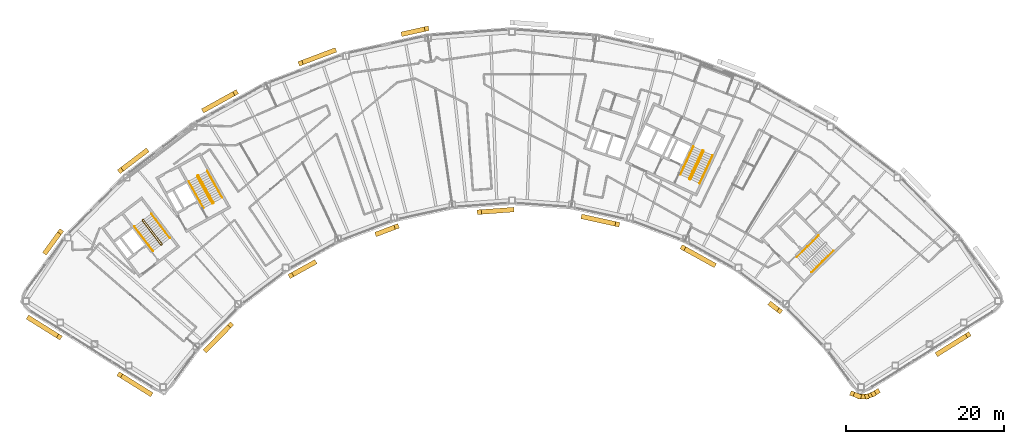
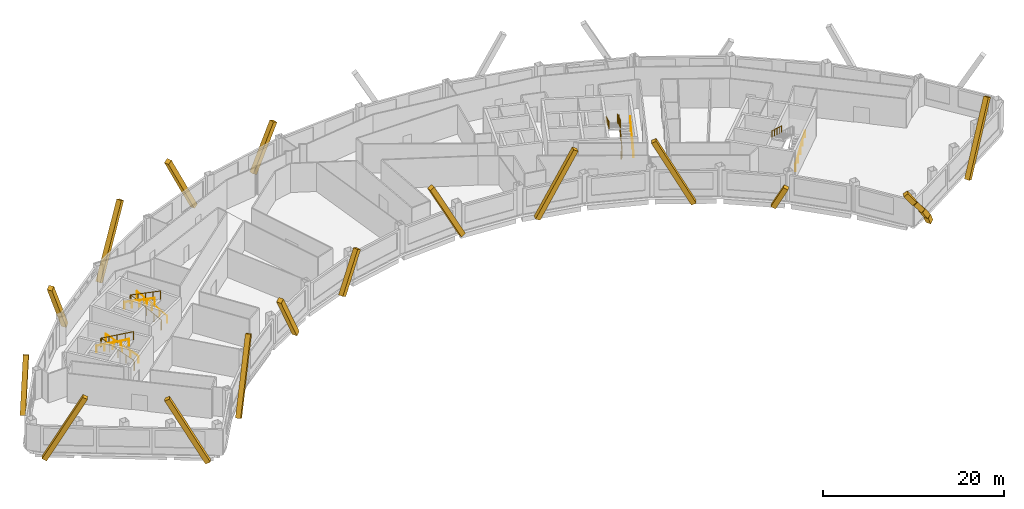
# One storey, part 13 of 14: 19 coverings, 11 railings.
"""IFC4 building model written with IfcOpenShell, lengths in metres."""

from ifc_helpers import new_model, si_unit, direction, frame, origin, origin_2d, place, context, subcontext, project, spatial, rectangle, circle, extrude, material, material_profile, profile_set, type_object, element, save


model = new_model("IFC4")

# Units and contexts
model_context = context("Model", 3, precision=1e-05, world=origin(), true_north=direction((0.0, 1.0)))
body_context = subcontext(model_context, "Body", "Model", "MODEL_VIEW")
ifc_project = project(units=[si_unit("LENGTHUNIT", "METRE"), si_unit("AREAUNIT", "SQUARE_METRE"), si_unit("VOLUMEUNIT", "CUBIC_METRE"), si_unit("PLANEANGLEUNIT", "RADIAN"), si_unit("MASSUNIT", "GRAM", prefix="KILO")], contexts=[model_context])

# Site, building, storey
site_placement = place(None, origin())
site = spatial("IfcSite", under=ifc_project, at=site_placement, CompositionType="ELEMENT")
building_placement = place(site_placement, origin())
building = spatial("IfcBuilding", under=site, at=building_placement, Name="Tuul Gate Civic Tower", CompositionType="ELEMENT")
storey_placement = place(building_placement, frame((0.0, 0.0, 265.199951171875)))
storey = spatial("IfcBuildingStorey", under=building, at=storey_placement, Name="Level 60", CompositionType="ELEMENT", Elevation=265.199951171875)

# Railings
ifc_material_1 = material(Name="Painted steel", Category="steel")
railing_type_1 = type_object("IfcRailingType", Name="Stair guard", PredefinedType="GUARDRAIL", material=ifc_material_1)
railing_1_placement = place(storey_placement, frame((-33.382080078125, -13.515380859375, 0.0)))
element("IfcRailing", 1, at=railing_1_placement, inside=storey, type_object=railing_type_1, Name="Level 60 ST-1 stair guard 1", PredefinedType="GUARDRAIL", context=body_context, shape_type="SweptSolid", body=[
    extrude(circle(Radius=0.02392578125, at=origin_2d()), frame((0.0, 0.0, 1.076171875), z_axis=(-0.795879841968, -0.605454603706, 0.0), x_axis=(0.605454603706, -0.795879841968, 0.0)), (0.0, 0.0, 1.0), 0.10009765625),
    extrude(circle(Radius=0.02392578125, at=origin_2d()), frame((-0.07958984375, -0.060546875, 1.076171875), z_axis=(0.408676696321, 0.599019267211, 0.688592241747), x_axis=(-0.826063974707, 0.563576356576, 0.0)), (0.0, 0.0, 1.0), 0.218017578125),
    extrude(circle(Radius=0.02392578125, at=origin_2d()), frame((0.009521484375, 0.070068359375, 1.22607421875), z_axis=(-0.541824460341, 0.711645023348, 0.447199748346), x_axis=(-0.795637165283, -0.60577347352, 0.0)), (0.0, 0.0, 1.0), 4.3603515625),
    extrude(circle(Radius=0.02392578125, at=origin_2d()), frame((-2.35302734375, 3.173095703125, 3.17626953125), z_axis=(-0.990893089246, 0.134650977284, 0.0), x_axis=(-0.134650977284, -0.990893089246, 0.0)), (0.0, 0.0, 1.0), 0.07080078125),
    extrude(circle(Radius=0.02392578125, at=origin_2d()), frame((-2.423095703125, 3.1826171875, 3.17626953125), z_axis=(-0.793802879778, -0.60817512943, 0.0), x_axis=(0.60817512943, -0.793802879778, 0.0)), (0.0, 0.0, 1.0), 0.099853515625),
    extrude(circle(Radius=0.02392578125, at=origin_2d()), frame((-2.50244140625, 3.121826171875, 3.17626953125), z_axis=(-0.057447065493, -0.422751481959, 0.904423031091), x_axis=(0.990893089246, -0.134650977284, 0.0)), (0.0, 0.0, 1.0), 0.165771484375),
    extrude(circle(Radius=0.02392578125, at=origin_2d()), frame((-2.511962890625, 3.0517578125, 3.326171875), z_axis=(0.541806494602, -0.71163897684, 0.447231136047), x_axis=(0.795644365679, 0.605764016233, 0.0)), (0.0, 0.0, 1.0), 4.360107421875),
    extrude(circle(Radius=0.02099609375, at=origin_2d()), origin(), (0.0, 0.0, 1.0), 1.052001953125),
    extrude(circle(Radius=0.02099609375, at=origin_2d()), frame((-0.07958984375, -0.060546875, 0.0)), (0.0, 0.0, 1.0), 1.052001953125),
    extrude(circle(Radius=0.02099609375, at=origin_2d()), frame((0.009521484375, 0.070068359375, 0.150146484375)), (0.0, 0.0, 1.0), 1.052001953125),
    extrude(circle(Radius=0.02099609375, at=origin_2d()), frame((-0.5810546875, 0.845703125, 0.6376953125)), (0.0, 0.0, 1.0), 1.052001953125),
    extrude(circle(Radius=0.02099609375, at=origin_2d()), frame((-1.171875, 1.62158203125, 1.125)), (0.0, 0.0, 1.0), 1.052001953125),
    extrude(circle(Radius=0.02099609375, at=origin_2d()), frame((-1.762451171875, 2.3974609375, 1.612548828125)), (0.0, 0.0, 1.0), 1.052001953125),
    extrude(circle(Radius=0.02099609375, at=origin_2d()), frame((-2.35302734375, 3.173095703125, 2.10009765625)), (0.0, 0.0, 1.0), 1.052001953125),
    extrude(circle(Radius=0.02099609375, at=origin_2d()), frame((-2.423095703125, 3.1826171875, 2.10009765625)), (0.0, 0.0, 1.0), 1.052001953125),
    extrude(circle(Radius=0.02099609375, at=origin_2d()), frame((-2.50244140625, 3.121826171875, 2.10009765625)), (0.0, 0.0, 1.0), 1.052001953125),
    extrude(circle(Radius=0.02099609375, at=origin_2d()), frame((-2.511962890625, 3.0517578125, 2.25)), (0.0, 0.0, 1.0), 1.052001953125),
    extrude(circle(Radius=0.02099609375, at=origin_2d()), frame((-1.92138671875, 2.276123046875, 2.737548828125)), (0.0, 0.0, 1.0), 1.052001953125),
    extrude(circle(Radius=0.02099609375, at=origin_2d()), frame((-1.330810546875, 1.50048828125, 3.22509765625)), (0.0, 0.0, 1.0), 1.052001953125),
    extrude(circle(Radius=0.02099609375, at=origin_2d()), frame((-0.740234375, 0.724609375, 3.71240234375)), (0.0, 0.0, 1.0), 1.052001953125),
    extrude(circle(Radius=0.02099609375, at=origin_2d()), frame((-0.149658203125, -0.051025390625, 4.199951171875)), (0.0, 0.0, 1.0), 1.052001953125),
])
railing_2_placement = place(storey_placement, frame((-26.857666015625, -8.247314453125, 0.0)))
element("IfcRailing", 2, at=railing_2_placement, inside=storey, type_object=railing_type_1, Name="Level 60 ST-2 stair guard 1", PredefinedType="GUARDRAIL", context=body_context, shape_type="SweptSolid", body=[
    extrude(circle(Radius=0.02392578125, at=origin_2d()), frame((0.0, 0.0, 1.076171875), z_axis=(-0.874616555828, -0.48481530532, 0.0), x_axis=(0.48481530532, -0.874616555828, 0.0)), (0.0, 0.0, 1.0), 0.10009765625),
    extrude(circle(Radius=0.02392578125, at=origin_2d()), frame((-0.087646484375, -0.048583984375, 1.076171875), z_axis=(0.490435707169, 0.534104639999, 0.688625479244), x_axis=(-0.736576986774, 0.676353711126, 0.0)), (0.0, 0.0, 1.0), 0.218017578125),
    extrude(circle(Radius=0.02392578125, at=origin_2d()), frame((0.019287109375, 0.06787109375, 1.22607421875), z_axis=(-0.43354991378, 0.782327185242, 0.447212083348), x_axis=(-0.874667644053, -0.484723129681, 0.0)), (0.0, 0.0, 1.0), 4.3603515625),
    extrude(circle(Radius=0.02392578125, at=origin_2d()), frame((-1.87109375, 3.47900390625, 3.17626953125), z_axis=(-0.961263487578, 0.275631107549, 0.0), x_axis=(-0.275631107549, -0.961263487578, 0.0)), (0.0, 0.0, 1.0), 0.07080078125),
    extrude(circle(Radius=0.02392578125, at=origin_2d()), frame((-1.939208984375, 3.49853515625, 3.17626953125), z_axis=(-0.874042088414, -0.485850211157, 0.0), x_axis=(0.485850211157, -0.874042088414, 0.0)), (0.0, 0.0, 1.0), 0.10009765625),
    extrude(circle(Radius=0.02392578125, at=origin_2d()), frame((-2.026611328125, 3.449951171875, 3.17626953125), z_axis=(-0.117866478395, -0.409586012422, 0.90462522168), x_axis=(0.961000426733, -0.276546885391, 0.0)), (0.0, 0.0, 1.0), 0.165771484375),
    extrude(circle(Radius=0.02392578125, at=origin_2d()), frame((-2.046142578125, 3.382080078125, 3.326171875), z_axis=(0.433595379963, -0.782308193291, 0.447201226726), x_axis=(0.874641102302, 0.484771020343, 0.0)), (0.0, 0.0, 1.0), 4.3603515625),
    extrude(circle(Radius=0.02099609375, at=origin_2d()), origin(), (0.0, 0.0, 1.0), 1.052001953125),
    extrude(circle(Radius=0.02099609375, at=origin_2d()), frame((-0.087646484375, -0.048583984375, 0.0)), (0.0, 0.0, 1.0), 1.052001953125),
    extrude(circle(Radius=0.02099609375, at=origin_2d()), frame((0.019287109375, 0.06787109375, 0.150146484375)), (0.0, 0.0, 1.0), 1.052001953125),
    extrude(circle(Radius=0.02099609375, at=origin_2d()), frame((-0.453369140625, 0.920654296875, 0.6376953125)), (0.0, 0.0, 1.0), 1.052001953125),
    extrude(circle(Radius=0.02099609375, at=origin_2d()), frame((-0.92578125, 1.7734375, 1.125)), (0.0, 0.0, 1.0), 1.052001953125),
    extrude(circle(Radius=0.02099609375, at=origin_2d()), frame((-1.3984375, 2.626220703125, 1.612548828125)), (0.0, 0.0, 1.0), 1.052001953125),
    extrude(circle(Radius=0.02099609375, at=origin_2d()), frame((-1.87109375, 3.47900390625, 2.10009765625)), (0.0, 0.0, 1.0), 1.052001953125),
    extrude(circle(Radius=0.02099609375, at=origin_2d()), frame((-1.939208984375, 3.49853515625, 2.10009765625)), (0.0, 0.0, 1.0), 1.052001953125),
    extrude(circle(Radius=0.02099609375, at=origin_2d()), frame((-2.026611328125, 3.449951171875, 2.10009765625)), (0.0, 0.0, 1.0), 1.052001953125),
    extrude(circle(Radius=0.02099609375, at=origin_2d()), frame((-2.046142578125, 3.382080078125, 2.25)), (0.0, 0.0, 1.0), 1.052001953125),
    extrude(circle(Radius=0.02099609375, at=origin_2d()), frame((-1.573486328125, 2.529296875, 2.737548828125)), (0.0, 0.0, 1.0), 1.052001953125),
    extrude(circle(Radius=0.02099609375, at=origin_2d()), frame((-1.100830078125, 1.676513671875, 3.22509765625)), (0.0, 0.0, 1.0), 1.052001953125),
    extrude(circle(Radius=0.02099609375, at=origin_2d()), frame((-0.628173828125, 0.82373046875, 3.71240234375)), (0.0, 0.0, 1.0), 1.052001953125),
    extrude(circle(Radius=0.02099609375, at=origin_2d()), frame((-0.155517578125, -0.029052734375, 4.199951171875)), (0.0, 0.0, 1.0), 1.052001953125),
])
railing_3_placement = place(storey_placement, frame((33.645751953125, -5.238525390625, 0.0)))
element("IfcRailing", 3, at=railing_3_placement, inside=storey, type_object=railing_type_1, Name="Level 60 ST-4 stair guard 1", PredefinedType="GUARDRAIL", context=body_context, shape_type="SweptSolid", body=[
    extrude(circle(Radius=0.02392578125, at=origin_2d()), frame((0.0, 0.0, 1.076171875), z_axis=(-0.906307919131, 0.422617978463, 0.0), x_axis=(-0.422617978463, -0.906307919131, 0.0)), (0.0, 0.0, 1.0), 0.099853515625),
    extrude(circle(Radius=0.02392578125, at=origin_2d()), frame((-0.090576171875, 0.042236328125, 1.076171875), z_axis=(0.720179819621, -0.082882280952, 0.688818956559), x_axis=(0.114330889033, 0.993442724979, 0.0)), (0.0, 0.0, 1.0), 0.218017578125),
    extrude(circle(Radius=0.02392578125, at=origin_2d()), frame((0.06640625, 0.024169921875, 1.22607421875), z_axis=(0.377946903738, 0.810654114417, 0.447209173356), x_axis=(-0.906336612539, 0.422556439746, 0.0)), (0.0, 0.0, 1.0), 4.3603515625),
    extrude(circle(Radius=0.02392578125, at=origin_2d()), frame((1.71435546875, 3.558837890625, 3.17626953125), z_axis=(-0.342020437038, 0.939692513883, 0.0), x_axis=(-0.939692513883, -0.342020437038, 0.0)), (0.0, 0.0, 1.0), 0.070556640625),
    extrude(circle(Radius=0.02392578125, at=origin_2d()), frame((1.690185546875, 3.625244140625, 3.17626953125), z_axis=(-0.906307919131, 0.422617978463, 0.0), x_axis=(-0.422617978463, -0.906307919131, 0.0)), (0.0, 0.0, 1.0), 0.099853515625),
    extrude(circle(Radius=0.02392578125, at=origin_2d()), frame((1.599609375, 3.66748046875, 3.17626953125), z_axis=(-0.40070210376, -0.145843780413, 0.904526072458), x_axis=(0.342020437038, -0.939692513883, 0.0)), (0.0, 0.0, 1.0), 0.165771484375),
    extrude(circle(Radius=0.02392578125, at=origin_2d()), frame((1.533203125, 3.643310546875, 3.326171875), z_axis=(-0.377946903738, -0.810654114417, 0.447209173356), x_axis=(0.906336612539, -0.422556439746, 0.0)), (0.0, 0.0, 1.0), 4.3603515625),
    extrude(circle(Radius=0.02099609375, at=origin_2d()), origin(), (0.0, 0.0, 1.0), 1.052001953125),
    extrude(circle(Radius=0.02099609375, at=origin_2d()), frame((-0.090576171875, 0.042236328125, 0.0)), (0.0, 0.0, 1.0), 1.052001953125),
    extrude(circle(Radius=0.02099609375, at=origin_2d()), frame((0.06640625, 0.024169921875, 0.150146484375)), (0.0, 0.0, 1.0), 1.052001953125),
    extrude(circle(Radius=0.02099609375, at=origin_2d()), frame((0.478515625, 0.90771484375, 0.6376953125)), (0.0, 0.0, 1.0), 1.052001953125),
    extrude(circle(Radius=0.02099609375, at=origin_2d()), frame((0.890380859375, 1.79150390625, 1.125)), (0.0, 0.0, 1.0), 1.052001953125),
    extrude(circle(Radius=0.02099609375, at=origin_2d()), frame((1.30224609375, 2.67529296875, 1.612548828125)), (0.0, 0.0, 1.0), 1.052001953125),
    extrude(circle(Radius=0.02099609375, at=origin_2d()), frame((1.71435546875, 3.558837890625, 2.10009765625)), (0.0, 0.0, 1.0), 1.052001953125),
    extrude(circle(Radius=0.02099609375, at=origin_2d()), frame((1.690185546875, 3.625244140625, 2.10009765625)), (0.0, 0.0, 1.0), 1.052001953125),
    extrude(circle(Radius=0.02099609375, at=origin_2d()), frame((1.599609375, 3.66748046875, 2.10009765625)), (0.0, 0.0, 1.0), 1.052001953125),
    extrude(circle(Radius=0.02099609375, at=origin_2d()), frame((1.533203125, 3.643310546875, 2.25)), (0.0, 0.0, 1.0), 1.052001953125),
    extrude(circle(Radius=0.02099609375, at=origin_2d()), frame((1.12109375, 2.759765625, 2.737548828125)), (0.0, 0.0, 1.0), 1.052001953125),
    extrude(circle(Radius=0.02099609375, at=origin_2d()), frame((0.709228515625, 1.8759765625, 3.22509765625)), (0.0, 0.0, 1.0), 1.052001953125),
    extrude(circle(Radius=0.02099609375, at=origin_2d()), frame((0.29736328125, 0.9921875, 3.71240234375)), (0.0, 0.0, 1.0), 1.052001953125),
    extrude(circle(Radius=0.02099609375, at=origin_2d()), frame((-0.11474609375, 0.108642578125, 4.199951171875)), (0.0, 0.0, 1.0), 1.052001953125),
])
ifc_material_2 = material(Name="Painted steel", Category="steel")
railing_type_2 = type_object("IfcRailingType", Name="Stair handrail", PredefinedType="HANDRAIL", material=ifc_material_2)
railing_4_placement = place(storey_placement, frame((-32.3779296875, -12.688232421875, 0.150146484375)))
element("IfcRailing", 4, at=railing_4_placement, inside=storey, type_object=railing_type_2, Name="Level 60 ST-1 stair handrail 1", PredefinedType="HANDRAIL", context=body_context, shape_type="SweptSolid", body=[
    extrude(circle(Radius=0.02392578125, at=origin_2d()), frame((0.0, 0.0, 0.8759765625), z_axis=(-0.541824460341, 0.711645023348, 0.447199748346), x_axis=(-0.795637165283, -0.60577347352, 0.0)), (0.0, 0.0, 1.0), 4.3603515625),
    extrude(circle(Radius=0.02099609375, at=origin_2d()), origin(), (0.0, 0.0, 1.0), 0.851806640625),
    extrude(circle(Radius=0.02099609375, at=origin_2d()), frame((-0.590576171875, 0.77587890625, 0.487548828125)), (0.0, 0.0, 1.0), 0.851806640625),
    extrude(circle(Radius=0.02099609375, at=origin_2d()), frame((-1.18115234375, 1.551513671875, 0.97509765625)), (0.0, 0.0, 1.0), 0.851806640625),
    extrude(circle(Radius=0.02099609375, at=origin_2d()), frame((-1.77197265625, 2.3271484375, 1.46240234375)), (0.0, 0.0, 1.0), 0.851806640625),
    extrude(circle(Radius=0.02099609375, at=origin_2d()), frame((-2.362548828125, 3.10302734375, 1.949951171875)), (0.0, 0.0, 1.0), 0.851806640625),
])
railing_5_placement = place(storey_placement, frame((-36.888671875, -11.220703125, 2.25)))
element("IfcRailing", 5, at=railing_5_placement, inside=storey, type_object=railing_type_2, Name="Level 60 ST-1 stair handrail 2", PredefinedType="HANDRAIL", context=body_context, shape_type="SweptSolid", body=[
    extrude(circle(Radius=0.02392578125, at=origin_2d()), frame((0.0, 0.0, 0.8759765625), z_axis=(0.541824460341, -0.711645023348, 0.447199748346), x_axis=(0.795637165283, 0.60577347352, 0.0)), (0.0, 0.0, 1.0), 4.3603515625),
    extrude(circle(Radius=0.02099609375, at=origin_2d()), origin(), (0.0, 0.0, 1.0), 0.851806640625),
    extrude(circle(Radius=0.02099609375, at=origin_2d()), frame((0.590576171875, -0.77587890625, 0.487548828125)), (0.0, 0.0, 1.0), 0.851806640625),
    extrude(circle(Radius=0.02099609375, at=origin_2d()), frame((1.18115234375, -1.551513671875, 0.97509765625)), (0.0, 0.0, 1.0), 0.851806640625),
    extrude(circle(Radius=0.02099609375, at=origin_2d()), frame((1.77197265625, -2.3271484375, 1.46240234375)), (0.0, 0.0, 1.0), 0.851806640625),
    extrude(circle(Radius=0.02099609375, at=origin_2d()), frame((2.362548828125, -3.10302734375, 1.949951171875)), (0.0, 0.0, 1.0), 0.851806640625),
])
railing_6_placement = place(storey_placement, frame((-25.744873046875, -7.573486328125, 0.150146484375)))
element("IfcRailing", 6, at=railing_6_placement, inside=storey, type_object=railing_type_2, Name="Level 60 ST-2 stair handrail 1", PredefinedType="HANDRAIL", context=body_context, shape_type="SweptSolid", body=[
    extrude(circle(Radius=0.02392578125, at=origin_2d()), frame((0.0, 0.0, 0.8759765625), z_axis=(-0.433595379963, 0.782308193291, 0.447201226726), x_axis=(-0.874641102302, -0.484771020343, 0.0)), (0.0, 0.0, 1.0), 4.3603515625),
    extrude(circle(Radius=0.02099609375, at=origin_2d()), origin(), (0.0, 0.0, 1.0), 0.851806640625),
    extrude(circle(Radius=0.02099609375, at=origin_2d()), frame((-0.47265625, 0.852783203125, 0.487548828125)), (0.0, 0.0, 1.0), 0.851806640625),
    extrude(circle(Radius=0.02099609375, at=origin_2d()), frame((-0.9453125, 1.70556640625, 0.97509765625)), (0.0, 0.0, 1.0), 0.851806640625),
    extrude(circle(Radius=0.02099609375, at=origin_2d()), frame((-1.41796875, 2.558349609375, 1.46240234375)), (0.0, 0.0, 1.0), 0.851806640625),
    extrude(circle(Radius=0.02099609375, at=origin_2d()), frame((-1.890625, 3.4111328125, 1.949951171875)), (0.0, 0.0, 1.0), 0.851806640625),
])
railing_7_placement = place(storey_placement, frame((-29.9970703125, -5.47119140625, 2.25)))
element("IfcRailing", 7, at=railing_7_placement, inside=storey, type_object=railing_type_2, Name="Level 60 ST-2 stair handrail 2", PredefinedType="HANDRAIL", context=body_context, shape_type="SweptSolid", body=[
    extrude(circle(Radius=0.02392578125, at=origin_2d()), frame((0.0, 0.0, 0.8759765625), z_axis=(0.433595379963, -0.782308193291, 0.447201226726), x_axis=(0.874641102302, 0.484771020343, 0.0)), (0.0, 0.0, 1.0), 4.3603515625),
    extrude(circle(Radius=0.02099609375, at=origin_2d()), origin(), (0.0, 0.0, 1.0), 0.851806640625),
    extrude(circle(Radius=0.02099609375, at=origin_2d()), frame((0.47265625, -0.852783203125, 0.487548828125)), (0.0, 0.0, 1.0), 0.851806640625),
    extrude(circle(Radius=0.02099609375, at=origin_2d()), frame((0.9453125, -1.70556640625, 0.97509765625)), (0.0, 0.0, 1.0), 0.851806640625),
    extrude(circle(Radius=0.02099609375, at=origin_2d()), frame((1.41796875, -2.558349609375, 1.46240234375)), (0.0, 0.0, 1.0), 0.851806640625),
    extrude(circle(Radius=0.02099609375, at=origin_2d()), frame((1.890625, -3.4111328125, 1.949951171875)), (0.0, 0.0, 1.0), 0.851806640625),
])
railing_8_placement = place(storey_placement, frame((49.05126953125, -17.028076171875, 0.150146484375)))
element("IfcRailing", 8, at=railing_8_placement, inside=storey, type_object=railing_type_2, Name="Level 60 ST-3 stair handrail 1", PredefinedType="HANDRAIL", context=body_context, shape_type="SweptSolid", body=[
    extrude(circle(Radius=0.02392578125, at=origin_2d()), frame((0.0, 0.0, 0.8759765625), z_axis=(0.638753653487, 0.626099522554, 0.447205945863), x_axis=(-0.699997553204, 0.714145241186, 0.0)), (0.0, 0.0, 1.0), 4.3603515625),
    extrude(circle(Radius=0.02099609375, at=origin_2d()), origin(), (0.0, 0.0, 1.0), 0.851806640625),
    extrude(circle(Radius=0.02099609375, at=origin_2d()), frame((0.6962890625, 0.6826171875, 0.487548828125)), (0.0, 0.0, 1.0), 0.851806640625),
    extrude(circle(Radius=0.02099609375, at=origin_2d()), frame((1.392578125, 1.364990234375, 0.97509765625)), (0.0, 0.0, 1.0), 0.851806640625),
    extrude(circle(Radius=0.02099609375, at=origin_2d()), frame((2.0888671875, 2.04736328125, 1.46240234375)), (0.0, 0.0, 1.0), 0.851806640625),
    extrude(circle(Radius=0.02099609375, at=origin_2d()), frame((2.78515625, 2.72998046875, 1.949951171875)), (0.0, 0.0, 1.0), 0.851806640625),
])
railing_9_placement = place(storey_placement, frame((49.9462890625, -12.369873046875, 2.25)))
element("IfcRailing", 9, at=railing_9_placement, inside=storey, type_object=railing_type_2, Name="Level 60 ST-3 stair handrail 2", PredefinedType="HANDRAIL", context=body_context, shape_type="SweptSolid", body=[
    extrude(circle(Radius=0.02392578125, at=origin_2d()), frame((0.0, 0.0, 0.8759765625), z_axis=(-0.638753653487, -0.626099522554, 0.447205945863), x_axis=(0.699997553204, -0.714145241186, 0.0)), (0.0, 0.0, 1.0), 4.3603515625),
    extrude(circle(Radius=0.02099609375, at=origin_2d()), origin(), (0.0, 0.0, 1.0), 0.851806640625),
    extrude(circle(Radius=0.02099609375, at=origin_2d()), frame((-0.6962890625, -0.6826171875, 0.487548828125)), (0.0, 0.0, 1.0), 0.851806640625),
    extrude(circle(Radius=0.02099609375, at=origin_2d()), frame((-1.392578125, -1.364990234375, 0.97509765625)), (0.0, 0.0, 1.0), 0.851806640625),
    extrude(circle(Radius=0.02099609375, at=origin_2d()), frame((-2.0888671875, -2.04736328125, 1.46240234375)), (0.0, 0.0, 1.0), 0.851806640625),
    extrude(circle(Radius=0.02099609375, at=origin_2d()), frame((-2.78515625, -2.72998046875, 1.949951171875)), (0.0, 0.0, 1.0), 0.851806640625),
])
railing_10_placement = place(storey_placement, frame((34.844970703125, -5.74267578125, 0.150146484375)))
element("IfcRailing", 10, at=railing_10_placement, inside=storey, type_object=railing_type_2, Name="Level 60 ST-4 stair handrail 1", PredefinedType="HANDRAIL", context=body_context, shape_type="SweptSolid", body=[
    extrude(circle(Radius=0.02392578125, at=origin_2d()), frame((0.0, 0.0, 0.8759765625), z_axis=(0.377994896215, 0.810636958585, 0.447199709091), x_axis=(-0.906312636903, 0.422607861012, 0.0)), (0.0, 0.0, 1.0), 4.3603515625),
    extrude(circle(Radius=0.02099609375, at=origin_2d()), origin(), (0.0, 0.0, 1.0), 0.851806640625),
    extrude(circle(Radius=0.02099609375, at=origin_2d()), frame((0.412109375, 0.8837890625, 0.487548828125)), (0.0, 0.0, 1.0), 0.851806640625),
    extrude(circle(Radius=0.02099609375, at=origin_2d()), frame((0.82421875, 1.767333984375, 0.97509765625)), (0.0, 0.0, 1.0), 0.851806640625),
    extrude(circle(Radius=0.02099609375, at=origin_2d()), frame((1.236083984375, 2.65087890625, 1.46240234375)), (0.0, 0.0, 1.0), 0.851806640625),
    extrude(circle(Radius=0.02099609375, at=origin_2d()), frame((1.648193359375, 3.53466796875, 1.949951171875)), (0.0, 0.0, 1.0), 0.851806640625),
])
railing_11_placement = place(storey_placement, frame((34.046142578125, -1.06689453125, 2.25)))
element("IfcRailing", 11, at=railing_11_placement, inside=storey, type_object=railing_type_2, Name="Level 60 ST-4 stair handrail 2", PredefinedType="HANDRAIL", context=body_context, shape_type="SweptSolid", body=[
    extrude(circle(Radius=0.02392578125, at=origin_2d()), frame((0.0, 0.0, 0.8759765625), z_axis=(-0.377994896215, -0.810636958585, 0.447199709091), x_axis=(0.906312636903, -0.422607861012, 0.0)), (0.0, 0.0, 1.0), 4.3603515625),
    extrude(circle(Radius=0.02099609375, at=origin_2d()), origin(), (0.0, 0.0, 1.0), 0.851806640625),
    extrude(circle(Radius=0.02099609375, at=origin_2d()), frame((-0.412109375, -0.8837890625, 0.487548828125)), (0.0, 0.0, 1.0), 0.851806640625),
    extrude(circle(Radius=0.02099609375, at=origin_2d()), frame((-0.82421875, -1.767333984375, 0.97509765625)), (0.0, 0.0, 1.0), 0.851806640625),
    extrude(circle(Radius=0.02099609375, at=origin_2d()), frame((-1.236083984375, -2.65087890625, 1.46240234375)), (0.0, 0.0, 1.0), 0.851806640625),
    extrude(circle(Radius=0.02099609375, at=origin_2d()), frame((-1.648193359375, -3.53466796875, 1.949951171875)), (0.0, 0.0, 1.0), 0.851806640625),
])

# Coverings
ifc_material_3 = material(Name="Terracotta baguette", Category="masonry")
ifc_material_profile = material_profile(ifc_material_3, rectangle(XDim=0.60009765625, YDim=0.60009765625, at=origin_2d()), Name="Terracotta baguette screen frame")
ifc_profile_set = profile_set([ifc_material_profile], Name="Terracotta baguette")
covering_type = type_object("IfcCoveringType", Name="Terracotta baguette screen frame", PredefinedType="CLADDING", material=ifc_profile_set)
covering_1_placement = place(storey_placement, frame((65.093505859375, -27.349853515625, -0.349853515625), z_axis=(0.402293025591, 0.251385166726, 0.880321429656), x_axis=(-0.529926214669, 0.848043753002, 0.0)))
element("IfcCovering", 12, at=covering_1_placement, inside=storey, type_object=covering_type, Name="Baguette 2", PredefinedType="CLADDING", context=body_context, shape_type="SweptSolid", body=[
    extrude(rectangle(XDim=0.60009765625, YDim=0.60009765625, at=origin_2d()), origin(), (0.0, 0.0, 1.0), 9.541748046875),
])
covering_2_placement = place(storey_placement, frame((0.20751953125, 13.89306640625, 5.254638671875), z_axis=(-0.464021709563, -0.102264160013, -0.879901070934), x_axis=(0.21522186499, -0.976565178997, 0.0)))
element("IfcCovering", 13, at=covering_2_placement, inside=storey, type_object=covering_type, Name="Baguette 84", PredefinedType="CLADDING", context=body_context, shape_type="SweptSolid", body=[
    extrude(rectangle(XDim=0.60009765625, YDim=0.60009765625, at=origin_2d()), origin(), (0.0, 0.0, 1.0), 6.369384765625),
])
for number, where, z_axis, x_axis, name in (
    (14, (-15.79931640625, 9.511474609375, 8.050048828125), (0.444449007562, 0.168071746228, -0.879895998284), (-0.353711403676, 0.935354608108, 0.0), "Baguette 98"),
    (15, (-24.0419921875, 5.777099609375, 8.050048828125), (-0.415601604837, -0.230344203727, -0.879895933544), (0.484765303515, -0.874644270837, 0.0), "Baguette 103"),
):
    element("IfcCovering", number, at=place(storey_placement, frame(where, z_axis=z_axis, x_axis=x_axis)), inside=storey, type_object=covering_type, Name=name, PredefinedType="CLADDING", context=body_context, shape_type="SweptSolid", body=[
        extrude(rectangle(XDim=0.60009765625, YDim=0.60009765625, at=origin_2d()), origin(), (0.0, 0.0, 1.0), 9.54638671875),
    ])
covering_3_placement = place(storey_placement, frame((-38.66259765625, -4.1142578125, 7.218994140625), z_axis=(0.378072552078, 0.287847145348, -0.879889292059), x_axis=(-0.605766045279, 0.79564282086, 0.0)))
element("IfcCovering", 16, at=covering_3_placement, inside=storey, type_object=covering_type, Name="Baguette 119", PredefinedType="CLADDING", context=body_context, shape_type="SweptSolid", body=[
    extrude(rectangle(XDim=0.60009765625, YDim=0.60009765625, at=origin_2d()), origin(), (0.0, 0.0, 1.0), 8.60205078125),
])
covering_4_placement = place(storey_placement, frame((-46.258544921875, -11.86376953125, 5.586669921875), z_axis=(-0.281381388158, -0.385223228643, -0.878878591452), x_axis=(0.807518817667, -0.589841808551, 0.0)))
element("IfcCovering", 17, at=covering_4_placement, inside=storey, type_object=covering_type, Name="Baguette 126", PredefinedType="CLADDING", context=body_context, shape_type="SweptSolid", body=[
    extrude(rectangle(XDim=0.60009765625, YDim=0.60009765625, at=origin_2d()), origin(), (0.0, 0.0, 1.0), 6.754638671875),
])
for number, where, z_axis, x_axis, name in (
    (18, (-46.413818359375, -25.236328125, 8.050048828125), (-0.402268992283, 0.251411723583, -0.88032482817), (-0.529989243351, -0.848004364336, 0.0), "Baguette 151"),
    (19, (-38.736572265625, -30.033935546875, 8.050048828125), (0.402293025591, -0.251385166726, -0.880321429656), (0.529926214669, 0.848043753002, 0.0), "Baguette 155"),
):
    element("IfcCovering", number, at=place(storey_placement, frame(where, z_axis=z_axis, x_axis=x_axis)), inside=storey, type_object=covering_type, Name=name, PredefinedType="CLADDING", context=body_context, shape_type="SweptSolid", body=[
        extrude(rectangle(XDim=0.60009765625, YDim=0.60009765625, at=origin_2d()), origin(), (0.0, 0.0, 1.0), 9.541748046875),
    ])
covering_5_placement = place(storey_placement, frame((-24.676513671875, -23.702880859375, 8.050048828125), z_axis=(-0.326330554035, -0.332887507095, -0.884700105755), x_axis=(0.714104738574, -0.700038872025, 0.0)))
element("IfcCovering", 20, at=covering_5_placement, inside=storey, type_object=covering_type, Name="Baguette 183", PredefinedType="CLADDING", context=body_context, shape_type="SweptSolid", body=[
    extrude(rectangle(XDim=0.60009765625, YDim=0.60009765625, at=origin_2d()), origin(), (0.0, 0.0, 1.0), 9.49462890625),
])
covering_6_placement = place(storey_placement, frame((-17.037841796875, -17.4375, 6.063232421875), z_axis=(0.40769757594, 0.225993451843, -0.884708791805), x_axis=(-0.484814535544, 0.874616982527, 0.0)))
element("IfcCovering", 21, at=covering_6_placement, inside=storey, type_object=covering_type, Name="Baguette 191", PredefinedType="CLADDING", context=body_context, shape_type="SweptSolid", body=[
    extrude(rectangle(XDim=0.60009765625, YDim=0.60009765625, at=origin_2d()), origin(), (0.0, 0.0, 1.0), 7.248779296875),
])
covering_7_placement = place(storey_placement, frame((-3.611572265625, -11.216796875, 4.594482421875), z_axis=(-0.435980600282, -0.16491250161, -0.884717346383), x_axis=(0.353792387079, -0.935323979616, 0.0)))
element("IfcCovering", 22, at=covering_7_placement, inside=storey, type_object=covering_type, Name="Baguette 209", PredefinedType="CLADDING", context=body_context, shape_type="SweptSolid", body=[
    extrude(rectangle(XDim=0.60009765625, YDim=0.60009765625, at=origin_2d()), origin(), (0.0, 0.0, 1.0), 5.588623046875),
])
covering_8_placement = place(storey_placement, frame((6.87890625, -9.3857421875, 8.050048828125), z_axis=(0.464944641093, 0.033680943013, -0.88469886108), x_axis=(-0.072251432136, 0.997386449955, 0.0)))
element("IfcCovering", 23, at=covering_8_placement, inside=storey, type_object=covering_type, Name="Baguette 216", PredefinedType="CLADDING", context=body_context, shape_type="SweptSolid", body=[
    extrude(rectangle(XDim=0.60009765625, YDim=0.60009765625, at=origin_2d()), origin(), (0.0, 0.0, 1.0), 8.930419921875),
])
for number, where, z_axis, x_axis, name in (
    (24, (24.4091796875, -10.938232421875, 8.050048828125), (-0.45523536363, 0.100283434148, -0.884705598793), (-0.215131164625, -0.976585163725, 0.0), "Baguette 232"),
    (25, (32.733642578125, -13.90869140625, 8.050048828125), (0.407714066256, -0.225996400626, -0.884700439178), (0.484804374507, 0.87462261488, 0.0), "Baguette 238"),
):
    element("IfcCovering", number, at=place(storey_placement, frame(where, z_axis=z_axis, x_axis=x_axis)), inside=storey, type_object=covering_type, Name=name, PredefinedType="CLADDING", context=body_context, shape_type="SweptSolid", body=[
        extrude(rectangle(XDim=0.60009765625, YDim=0.60009765625, at=origin_2d()), origin(), (0.0, 0.0, 1.0), 9.49462890625),
    ])
covering_9_placement = place(storey_placement, frame((45.00146484375, -21.930908203125, 2.341796875), z_axis=(-0.370892959878, 0.282382588881, -0.884702484347), x_axis=(-0.60576829495, -0.795641108059, 0.0)))
element("IfcCovering", 26, at=covering_9_placement, inside=storey, type_object=covering_type, Name="Baguette 255", PredefinedType="CLADDING", context=body_context, shape_type="SweptSolid", body=[
    extrude(rectangle(XDim=0.60009765625, YDim=0.60009765625, at=origin_2d()), origin(), (0.0, 0.0, 1.0), 3.04248046875),
])
covering_10_placement = place(storey_placement, frame((54.197265625, -32.4248046875, 4.61279296875), z_axis=(0.560062455363, -0.22194004503, -0.798168317152), x_axis=(0.368405265232, 0.929665294904, 0.0)))
element("IfcCovering", 27, at=covering_10_placement, inside=storey, type_object=covering_type, Name="Baguette 272", PredefinedType="CLADDING", context=body_context, shape_type="SweptSolid", body=[
    extrude(rectangle(XDim=0.60009765625, YDim=0.60009765625, at=origin_2d()), origin(), (0.0, 0.0, 1.0), 1.615966796875),
])
covering_11_placement = place(storey_placement, frame((55.102294921875, -32.783447265625, 3.322998046875), z_axis=(0.602486696833, -0.002570206737, -0.798124786093), x_axis=(0.004265958673, 0.999990900757, 0.0)))
element("IfcCovering", 28, at=covering_11_placement, inside=storey, type_object=covering_type, Name="Baguette 273", PredefinedType="CLADDING", context=body_context, shape_type="SweptSolid", body=[
    extrude(rectangle(XDim=0.60009765625, YDim=0.60009765625, at=origin_2d()), origin(), (0.0, 0.0, 1.0), 1.61474609375),
])
covering_12_placement = place(storey_placement, frame((56.0751953125, -32.78759765625, 2.0341796875), z_axis=(0.534394068467, 0.208138961898, -0.819207636761), x_axis=(-0.362929447932, 0.93181662135, 0.0)))
element("IfcCovering", 29, at=covering_12_placement, inside=storey, type_object=covering_type, Name="Baguette 274", PredefinedType="CLADDING", context=body_context, shape_type="SweptSolid", body=[
    extrude(rectangle(XDim=0.60009765625, YDim=0.60009765625, at=origin_2d()), origin(), (0.0, 0.0, 1.0), 1.572998046875),
])
covering_13_placement = place(storey_placement, frame((56.915771484375, -32.460205078125, 0.74560546875), z_axis=(0.402383327042, 0.251317914159, -0.880299360525), x_axis=(-0.529738713069, 0.848160890324, 0.0)))
element("IfcCovering", 30, at=covering_13_placement, inside=storey, type_object=covering_type, Name="Baguette 275", PredefinedType="CLADDING", context=body_context, shape_type="SweptSolid", body=[
    extrude(rectangle(XDim=0.60009765625, YDim=0.60009765625, at=origin_2d()), origin(), (0.0, 0.0, 1.0), 1.244384765625),
])

save(model, "model.ifc")
